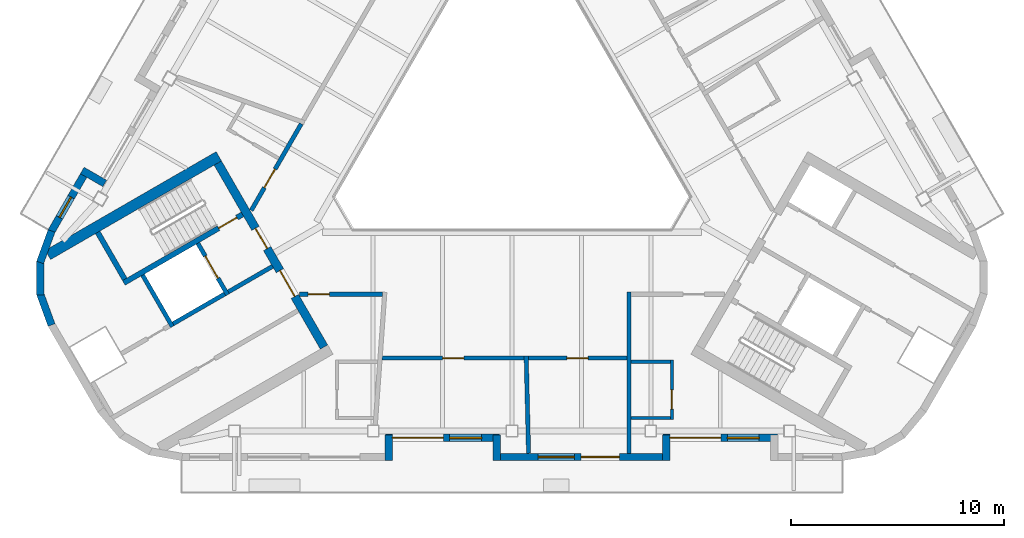
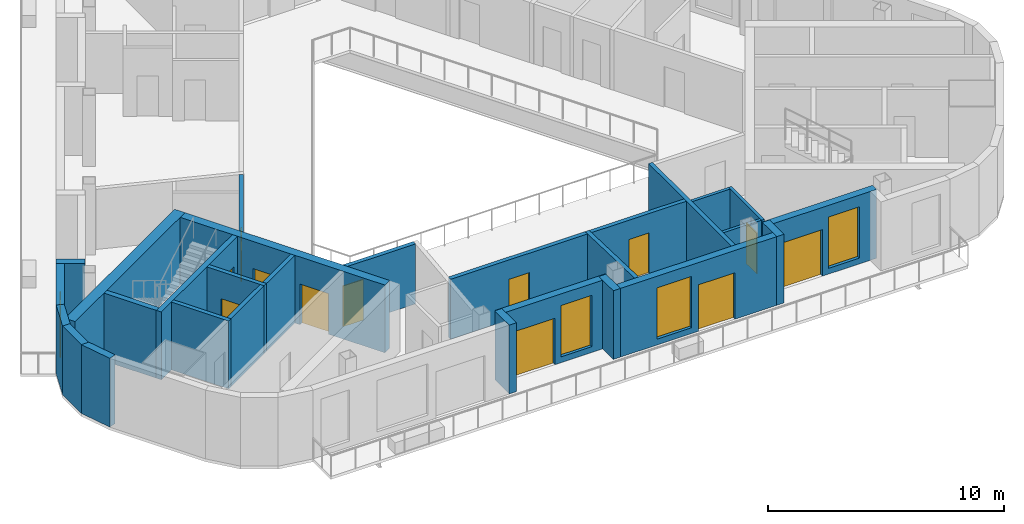
# One storey, part 3 of 11: 28 walls, 12 doors, 4 windows, 16 openings.
"""IFC4 building model written with IfcOpenShell, lengths in metres."""

from ifc_helpers import new_model, si_unit, direction, frame, frame_2d, origin, place, context, subcontext, project, spatial, rectangle, extrude, material, layer, layer_set, type_object, element, fill, save


model = new_model("IFC4")

# Units and contexts
model_context = context("Model", 3, precision=1e-05, world=origin(), true_north=direction((0.0, 1.0)))
body_context = subcontext(model_context, "Body", "Model", "MODEL_VIEW")
ifc_project = project(units=[si_unit("LENGTHUNIT", "METRE"), si_unit("AREAUNIT", "SQUARE_METRE"), si_unit("VOLUMEUNIT", "CUBIC_METRE"), si_unit("PLANEANGLEUNIT", "RADIAN"), si_unit("MASSUNIT", "GRAM", prefix="KILO")], contexts=[model_context])

# Site, building, storey
site_placement = place(None, origin())
site = spatial("IfcSite", under=ifc_project, at=site_placement, CompositionType="ELEMENT")
building_placement = place(site_placement, origin())
building = spatial("IfcBuilding", under=site, at=building_placement, Name="Apuvela Tower Hotel", CompositionType="ELEMENT")
storey_placement = place(building_placement, frame((0.0, 0.0, 317.0)))
storey = spatial("IfcBuildingStorey", under=building, at=storey_placement, Name="L79", CompositionType="ELEMENT", Elevation=317.0)

# Wall, openings, doors
ifc_material_1 = material(Name="Concrete C50/60", Category="concrete")
ifc_layer_1 = layer(ifc_material_1, 0.39990234375)
ifc_layer_set_1 = layer_set([ifc_layer_1], Name="COR-WALL-CORE-400")
wall_type_1 = type_object("IfcWallType", Name="COR-WALL-CORE-400", PredefinedType="SHEAR", material=ifc_layer_set_1)
wall_1_placement = place(storey_placement, frame((-13.844970703125, -2.219970703125, 0.0), z_axis=(0.0, 0.0, 1.0), x_axis=(0.500004234368, -0.866022959057, 0.0)))
wall_1 = element("IfcWall", 1, at=wall_1_placement, inside=storey, type_object=wall_type_1, Name="Core wall SW", PredefinedType="SHEAR", context=body_context, shape_type="SweptSolid", body=[
    extrude(rectangle(XDim=10.0, YDim=0.39990234375, at=frame_2d((5.0, 0.0))), origin(), (0.0, 0.0, 1.0), 3.5),
])
opening_1_placement = place(wall_1_placement, frame((3.550048828125, 0.0, 0.0)))
opening_1 = element("IfcOpeningElement", 2, at=opening_1_placement, cuts=wall_1, Name="Opening W-FD", PredefinedType="OPENING", context=body_context, shape_type="SweptSolid", body=[
    extrude(rectangle(XDim=1.10009765625, YDim=2.10009765625, at=frame_2d((0.550048828125, 1.050048828125))), frame((0.0, 0.2099609375, 0.0), z_axis=(0.0, -1.0, 0.0), x_axis=(1.0, 0.0, 0.0)), (0.0, 0.0, 1.0), 0.419921875),
])
opening_2_placement = place(wall_1_placement, frame((5.85009765625, 0.0, 0.0)))
opening_2 = element("IfcOpeningElement", 3, at=opening_2_placement, cuts=wall_1, Name="Opening W-GD", PredefinedType="OPENING", context=body_context, shape_type="SweptSolid", body=[
    extrude(rectangle(XDim=1.39990234375, YDim=2.10009765625, at=frame_2d((0.699951171875, 1.050048828125))), frame((0.0, 0.2099609375, 0.0), z_axis=(0.0, -1.0, 0.0), x_axis=(1.0, 0.0, 0.0)), (0.0, 0.0, 1.0), 0.419921875),
])
ifc_material_2 = material(Name="Steel fire door, powder coated", Category="steel")
door_type_1 = type_object("IfcDoorType", Name="COR-FD-1100", OperationType="NOTDEFINED", PredefinedType="DOOR", material=ifc_material_2)
door_1_placement = place(opening_1_placement, frame((1.10009765625, 0.0, 0.0), z_axis=(0.0, 0.0, 1.0), x_axis=(-1.0, 0.0, 0.0)))
door_1 = element("IfcDoor", 4, at=door_1_placement, inside=storey, type_object=door_type_1, Name="Firefighting lobby door W-FD", OperationType="SINGLE_SWING_LEFT", OverallHeight=2.10009765625, OverallWidth=1.10009765625, PredefinedType="DOOR", context=body_context, shape_type="SweptSolid", body=[
    extrude(rectangle(XDim=1.10009765625, YDim=2.10009765625, at=frame_2d((0.550048828125, 1.050048828125))), frame((0.0, 0.02490234375, 0.0), z_axis=(0.0, -1.0, 0.0), x_axis=(1.0, 0.0, 0.0)), (0.0, 0.0, 1.0), 0.050048828125),
])
fill(opening_1, door_1)
ifc_material_3 = material(Name="Glazed steel fire door", Category="steel")
door_type_2 = type_object("IfcDoorType", Name="COR-GD-1400", OperationType="DOUBLE_DOOR_SINGLE_SWING", PredefinedType="DOOR", material=ifc_material_3)
door_2_placement = place(opening_2_placement, frame((1.39990234375, 0.0, 0.0), z_axis=(0.0, 0.0, 1.0), x_axis=(-1.0, 0.0, 0.0)))
door_2 = element("IfcDoor", 5, at=door_2_placement, inside=storey, type_object=door_type_2, Name="Lift lobby door W-GD", OperationType="DOUBLE_DOOR_SINGLE_SWING", OverallHeight=2.10009765625, OverallWidth=1.39990234375, PredefinedType="DOOR", context=body_context, shape_type="SweptSolid", body=[
    extrude(rectangle(XDim=1.39990234375, YDim=2.10009765625, at=frame_2d((0.699951171875, 1.050048828125))), frame((0.0, 0.02490234375, 0.0), z_axis=(0.0, -1.0, 0.0), x_axis=(1.0, 0.0, 0.0)), (0.0, 0.0, 1.0), 0.050048828125),
])
fill(opening_2, door_2)

# Walls
ifc_layer_2 = layer(ifc_material_1, 0.5)
ifc_layer_set_2 = layer_set([ifc_layer_2], Name="COR-WALL-CORE-500")
wall_type_2 = type_object("IfcWallType", Name="COR-WALL-CORE-500", PredefinedType="SHEAR", material=ifc_layer_set_2)
wall_2_placement = place(storey_placement, frame((-13.796630859375, -1.9033203125, 0.0), z_axis=(0.0, 0.0, 1.0), x_axis=(-0.866025286072, -0.500000203884, 0.0)))
element("IfcWall", 6, at=wall_2_placement, inside=storey, type_object=wall_type_2, Name="Core wall SW", PredefinedType="SHEAR", context=body_context, shape_type="SweptSolid", body=[
    extrude(rectangle(XDim=9.28271484375, YDim=0.5, at=frame_2d((4.641357421875, 0.0))), origin(), (0.0, 0.0, 1.0), 3.5),
])
ifc_layer_3 = layer(ifc_material_1, 0.199951171875)
ifc_layer_set_3 = layer_set([ifc_layer_3], Name="COR-WALL-SHAFT-200")
wall_type_3 = type_object("IfcWallType", Name="COR-WALL-SHAFT-200", PredefinedType="SHEAR", material=ifc_layer_set_3)
wall_3_placement = place(storey_placement, frame((-17.38134765625, -7.49462890625, 0.0), z_axis=(0.0, 0.0, 1.0), x_axis=(0.500011755427, -0.866018616679, 0.0)))
element("IfcWall", 7, at=wall_3_placement, inside=storey, type_object=wall_type_3, Name="Shaft wall SW", PredefinedType="SHEAR", context=body_context, shape_type="SweptSolid", body=[
    extrude(rectangle(XDim=2.80029296875, YDim=0.199951171875, at=frame_2d((1.400146484375, 0.0))), origin(), (0.0, 0.0, 1.0), 3.5),
])

# Wall, opening, door
wall_4_placement = place(storey_placement, frame((-14.783203125, -5.99462890625, 0.0), z_axis=(0.0, 0.0, 1.0), x_axis=(0.49994636267, -0.866056369097, 0.0)))
wall_4 = element("IfcWall", 8, at=wall_4_placement, inside=storey, type_object=wall_type_3, Name="Shaft wall SW", PredefinedType="SHEAR", context=body_context, shape_type="SweptSolid", body=[
    extrude(rectangle(XDim=2.800048828125, YDim=0.199951171875, at=frame_2d((1.39990234375, 0.0))), origin(), (0.0, 0.0, 1.0), 3.5),
])
opening_3_placement = place(wall_4_placement, frame((0.699951171875, 0.0, 0.0)))
opening_3 = element("IfcOpeningElement", 9, at=opening_3_placement, cuts=wall_4, Name="Opening W-LD-FS2", PredefinedType="OPENING", context=body_context, shape_type="SweptSolid", body=[
    extrude(rectangle(XDim=1.199951171875, YDim=2.10009765625, at=frame_2d((0.60009765625, 1.050048828125))), frame((0.0, 0.10986328125, 0.0), z_axis=(0.0, -1.0, 0.0), x_axis=(1.0, 0.0, 0.0)), (0.0, 0.0, 1.0), 0.219970703125),
])
ifc_material_4 = material(Name="Stainless steel lift landing door", Category="steel")
door_type_3 = type_object("IfcDoorType", Name="COR-LD-1200", OperationType="DOUBLE_DOOR_SLIDING", PredefinedType="DOOR", material=ifc_material_4)
door_3_placement = place(opening_3_placement, origin())
door_3 = element("IfcDoor", 10, at=door_3_placement, inside=storey, type_object=door_type_3, Name="Lift landing door W-LD-FS2", OperationType="DOUBLE_DOOR_SLIDING", OverallHeight=2.10009765625, OverallWidth=1.199951171875, PredefinedType="DOOR", context=body_context, shape_type="SweptSolid", body=[
    extrude(rectangle(XDim=1.199951171875, YDim=2.10009765625, at=frame_2d((0.60009765625, 1.050048828125))), frame((0.0, 0.02490234375, 0.0), z_axis=(0.0, -1.0, 0.0), x_axis=(1.0, 0.0, 0.0)), (0.0, 0.0, 1.0), 0.050048828125),
])
fill(opening_3, door_3)

# Walls
wall_5_placement = place(storey_placement, frame((-13.519775390625, -8.383056640625, 0.0), z_axis=(0.0, 0.0, 1.0), x_axis=(-0.866034573852, -0.49998411664, 0.0)))
element("IfcWall", 11, at=wall_5_placement, inside=storey, type_object=wall_type_3, Name="Shaft wall SW", PredefinedType="SHEAR", context=body_context, shape_type="SweptSolid", body=[
    extrude(rectangle(XDim=2.7998046875, YDim=0.199951171875, at=frame_2d((1.39990234375, 0.0))), origin(), (0.0, 0.0, 1.0), 3.5),
])
wall_6_placement = place(storey_placement, frame((-11.26806640625, -7.0830078125, 0.0), z_axis=(0.0, 0.0, 1.0), x_axis=(-0.866050077142, -0.499957262057, 0.0)))
element("IfcWall", 12, at=wall_6_placement, inside=storey, type_object=wall_type_3, Name="Shaft wall SW", PredefinedType="SHEAR", context=body_context, shape_type="SweptSolid", body=[
    extrude(rectangle(XDim=2.400146484375, YDim=0.199951171875, at=frame_2d((1.2001953125, 0.0))), origin(), (0.0, 0.0, 1.0), 3.5),
])

# Wall, opening, door
ifc_layer_4 = layer(ifc_material_1, 0.25)
ifc_layer_set_4 = layer_set([ifc_layer_4], Name="COR-WALL-STAIR-250")
wall_type_4 = type_object("IfcWallType", Name="COR-WALL-STAIR-250", PredefinedType="SHEAR", material=ifc_layer_set_4)
wall_7_placement = place(storey_placement, frame((-12.6806640625, -4.636474609375, 0.0), z_axis=(0.0, 0.0, 1.0), x_axis=(-0.866021702275, -0.500006411147, 0.0)))
wall_7 = element("IfcWall", 13, at=wall_7_placement, inside=storey, type_object=wall_type_4, Name="Stair wall SW", PredefinedType="SHEAR", context=body_context, shape_type="SweptSolid", body=[
    extrude(rectangle(XDim=6.4501953125, YDim=0.25, at=frame_2d((3.22509765625, 0.0))), origin(), (0.0, 0.0, 1.0), 3.5),
])
opening_4_placement = place(wall_7_placement, frame((0.300048828125, 0.0, 0.0)))
opening_4 = element("IfcOpeningElement", 14, at=opening_4_placement, cuts=wall_7, Name="Opening W-SD", PredefinedType="OPENING", context=body_context, shape_type="SweptSolid", body=[
    extrude(rectangle(XDim=1.0, YDim=2.10009765625, at=frame_2d((0.5, 1.050048828125))), frame((0.0, 0.135009765625, 0.0), z_axis=(0.0, -1.0, 0.0), x_axis=(1.0, 0.0, 0.0)), (0.0, 0.0, 1.0), 0.27001953125),
])
door_type_4 = type_object("IfcDoorType", Name="COR-SD-1000", OperationType="NOTDEFINED", PredefinedType="DOOR", material=ifc_material_2)
door_4_placement = place(opening_4_placement, frame((1.0, 0.0, 0.0), z_axis=(0.0, 0.0, 1.0), x_axis=(-1.0, 0.0, 0.0)))
door_4 = element("IfcDoor", 15, at=door_4_placement, inside=storey, type_object=door_type_4, Name="Stair door W-SD", OperationType="SINGLE_SWING_LEFT", OverallHeight=2.10009765625, OverallWidth=1.0, PredefinedType="DOOR", context=body_context, shape_type="SweptSolid", body=[
    extrude(rectangle(XDim=1.0, YDim=2.10009765625, at=frame_2d((0.5, 1.050048828125))), frame((0.0, 0.02490234375, 0.0), z_axis=(0.0, -1.0, 0.0), x_axis=(1.0, 0.0, 0.0)), (0.0, 0.0, 1.0), 0.050048828125),
])
fill(opening_4, door_4)

# Walls
wall_8_placement = place(storey_placement, frame((-19.49560546875, -5.482421875, 0.0), z_axis=(0.0, 0.0, 1.0), x_axis=(0.499990435942, -0.866030925526, 0.0)))
element("IfcWall", 16, at=wall_8_placement, inside=storey, type_object=wall_type_4, Name="Stair wall SW", PredefinedType="SHEAR", context=body_context, shape_type="SweptSolid", body=[
    extrude(rectangle(XDim=2.5498046875, YDim=0.25, at=frame_2d((1.27490234375, 0.0))), origin(), (0.0, 0.0, 1.0), 3.5),
])
ifc_material_5 = material(Name="Concrete C40/50, dark pigmented precast panel", Category="concrete")
ifc_layer_5 = layer(ifc_material_5, 0.35009765625)
ifc_layer_set_5 = layer_set([ifc_layer_5], Name="ENV-WALL-350")
wall_type_5 = type_object("IfcWallType", Name="ENV-WALL-350", PredefinedType="SOLIDWALL", material=ifc_layer_set_5)
wall_9_placement = place(storey_placement, frame((-19.1650390625, -3.179931640625, 0.0), z_axis=(0.0, 0.0, 1.0), x_axis=(-0.866005645448, 0.500034220881, 0.0)))
element("IfcWall", 17, at=wall_9_placement, inside=storey, type_object=wall_type_5, Name="External wall L79-08", PredefinedType="SOLIDWALL", context=body_context, shape_type="SweptSolid", body=[
    extrude(rectangle(XDim=1.22021484375, YDim=0.35009765625, at=frame_2d((0.610107421875, 0.0))), origin(), (0.0, 0.0, 1.0), 3.550048828125),
])

# Wall, opening, window
wall_10_placement = place(storey_placement, frame((-19.982421875, -2.505859375, 0.0), z_axis=(0.0, 0.0, 1.0), x_axis=(-0.500054617923, -0.865993867816, 0.0)))
wall_10 = element("IfcWall", 18, at=wall_10_placement, inside=storey, type_object=wall_type_5, Name="External wall L79-09", PredefinedType="SOLIDWALL", context=body_context, shape_type="SweptSolid", body=[
    extrude(rectangle(XDim=3.39306640625, YDim=0.35009765625, at=frame_2d((1.696533203125, 0.0))), origin(), (0.0, 0.0, 1.0), 3.550048828125),
])
opening_5_placement = place(wall_10_placement, frame((1.525146484375, 0.0, 0.300048828125)))
opening_5 = element("IfcOpeningElement", 19, at=opening_5_placement, cuts=wall_10, Name="Opening WN11", PredefinedType="OPENING", context=body_context, shape_type="SweptSolid", body=[
    extrude(rectangle(XDim=1.10009765625, YDim=2.64990234375, at=frame_2d((0.550048828125, 1.324951171875))), frame((0.0, 0.18505859375, 0.0), z_axis=(0.0, -1.0, 0.0), x_axis=(1.0, 0.0, 0.0)), (0.0, 0.0, 1.0), 0.3701171875),
])
ifc_material_6 = material(Name="Glass, dark tinted laminated insulated glazing unit", Category="glass")
window_type_1 = type_object("IfcWindowType", Name="ENV-WIN-1100x2650", PartitioningType="SINGLE_PANEL", PredefinedType="WINDOW", material=ifc_material_6)
window_1_placement = place(opening_5_placement, origin())
window_1 = element("IfcWindow", 20, at=window_1_placement, inside=storey, type_object=window_type_1, Name="Window WN11", OverallHeight=2.64990234375, OverallWidth=1.10009765625, PartitioningType="SINGLE_PANEL", PredefinedType="WINDOW", context=body_context, shape_type="SweptSolid", body=[
    extrude(rectangle(XDim=1.10009765625, YDim=2.64990234375, at=frame_2d((0.550048828125, 1.324951171875))), frame((0.0, 0.030029296875, 0.0), z_axis=(0.0, -1.0, 0.0), x_axis=(1.0, 0.0, 0.0)), (0.0, 0.0, 1.0), 0.06005859375),
])
fill(opening_5, window_1)

# Walls
for number, where, z_axis, x_axis, name in (
    (21, (-21.666259765625, -5.41650390625, 0.0), (0.0, 0.0, 1.0), (-0.341991325642, -0.939703109065, 0.0), "External wall L79-10"),
    (22, (-22.19580078125, -6.840576171875, 0.0), (0.0, 0.0, 1.0), (0.0, -1.0, 0.0), "External wall L79-11"),
    (23, (-22.206298828125, -8.35986328125, 0.0), (0.0, 0.0, 1.0), (0.341991325642, -0.939703109065, 0.0), "External wall L79-12"),
):
    element("IfcWall", number, at=place(storey_placement, frame(where, z_axis=z_axis, x_axis=x_axis)), inside=storey, type_object=wall_type_5, Name=name, PredefinedType="SOLIDWALL", context=body_context, shape_type="SweptSolid", body=[
        extrude(rectangle(XDim=1.5791015625, YDim=0.35009765625, at=frame_2d((0.78955078125, 0.0))), origin(), (0.0, 0.0, 1.0), 3.550048828125),
    ])
wall_11_placement = place(storey_placement, frame((-5.8056640625, -16.2275390625, 0.0), z_axis=(0.0, 0.0, 1.0), x_axis=(0.0, 1.0, 0.0)))
element("IfcWall", 24, at=wall_11_placement, inside=storey, type_object=wall_type_5, Name="External wall L79-18", PredefinedType="SOLIDWALL", context=body_context, shape_type="SweptSolid", body=[
    extrude(rectangle(XDim=1.219970703125, YDim=0.35009765625, at=frame_2d((0.60986328125, 0.0))), origin(), (0.0, 0.0, 1.0), 3.550048828125),
])

# Wall, openings, door, window
wall_12_placement = place(storey_placement, frame((-5.95068359375, -15.152587890625, 0.0), z_axis=(0.0, 0.0, 1.0), x_axis=(1.0, 0.0, 0.0)))
wall_12 = element("IfcWall", 25, at=wall_12_placement, inside=storey, type_object=wall_type_5, Name="External wall L79-19", PredefinedType="SOLIDWALL", context=body_context, shape_type="SweptSolid", body=[
    extrude(rectangle(XDim=5.37060546875, YDim=0.35009765625, at=frame_2d((2.685302734375, 0.0))), origin(), (0.0, 0.0, 1.0), 3.550048828125),
])
opening_6_placement = place(wall_12_placement, frame((0.320068359375, 0.0, 0.0)))
opening_6 = element("IfcOpeningElement", 26, at=opening_6_placement, cuts=wall_12, Name="Opening BD24", PredefinedType="OPENING", context=body_context, shape_type="SweptSolid", body=[
    extrude(rectangle(XDim=2.39990234375, YDim=2.39990234375, at=frame_2d((1.199951171875, 1.199951171875))), frame((0.0, 0.18505859375, 0.0), z_axis=(0.0, -1.0, 0.0), x_axis=(1.0, 0.0, 0.0)), (0.0, 0.0, 1.0), 0.3701171875),
])
opening_7_placement = place(wall_12_placement, frame((3.02001953125, 0.0, 0.300048828125)))
opening_7 = element("IfcOpeningElement", 27, at=opening_7_placement, cuts=wall_12, Name="Opening WN15", PredefinedType="OPENING", context=body_context, shape_type="SweptSolid", body=[
    extrude(rectangle(XDim=1.5, YDim=2.64990234375, at=frame_2d((0.75, 1.324951171875))), frame((0.0, 0.18505859375, 0.0), z_axis=(0.0, -1.0, 0.0), x_axis=(1.0, 0.0, 0.0)), (0.0, 0.0, 1.0), 0.3701171875),
])
ifc_material_7 = material(Name="Aluminium 6063-T6, dark bronze anodised frame with dark tinted laminated glass", Category="aluminium")
door_type_5 = type_object("IfcDoorType", Name="ENV-DOOR-BALCONY-2400x2400", OperationType="SLIDING_TO_LEFT", PredefinedType="DOOR", material=ifc_material_7)
door_5_placement = place(opening_6_placement, frame((2.39990234375, 0.0, 0.0), z_axis=(0.0, 0.0, 1.0), x_axis=(-1.0, 0.0, 0.0)))
door_5 = element("IfcDoor", 28, at=door_5_placement, inside=storey, type_object=door_type_5, Name="Balcony door BD24", OperationType="SLIDING_TO_LEFT", OverallHeight=2.39990234375, OverallWidth=2.39990234375, PredefinedType="DOOR", context=body_context, shape_type="SweptSolid", body=[
    extrude(rectangle(XDim=2.39990234375, YDim=2.39990234375, at=frame_2d((1.199951171875, 1.199951171875))), frame((0.0, 0.02490234375, 0.0), z_axis=(0.0, -1.0, 0.0), x_axis=(1.0, 0.0, 0.0)), (0.0, 0.0, 1.0), 0.050048828125),
])
fill(opening_6, door_5)
window_type_2 = type_object("IfcWindowType", Name="ENV-WIN-1500x2650", PartitioningType="SINGLE_PANEL", PredefinedType="WINDOW", material=ifc_material_6)
window_2_placement = place(opening_7_placement, origin())
window_2 = element("IfcWindow", 29, at=window_2_placement, inside=storey, type_object=window_type_2, Name="Window WN15", OverallHeight=2.64990234375, OverallWidth=1.5, PartitioningType="SINGLE_PANEL", PredefinedType="WINDOW", context=body_context, shape_type="SweptSolid", body=[
    extrude(rectangle(XDim=1.5, YDim=2.64990234375, at=frame_2d((0.75, 1.324951171875))), frame((0.0, 0.030029296875, 0.0), z_axis=(0.0, -1.0, 0.0), x_axis=(1.0, 0.0, 0.0)), (0.0, 0.0, 1.0), 0.06005859375),
])
fill(opening_7, window_2)

# Wall
wall_13_placement = place(storey_placement, frame((-0.72509765625, -15.007568359375, 0.0), z_axis=(0.0, 0.0, 1.0), x_axis=(0.0, -1.0, 0.0)))
element("IfcWall", 30, at=wall_13_placement, inside=storey, type_object=wall_type_5, Name="External wall L79-20", PredefinedType="SOLIDWALL", context=body_context, shape_type="SweptSolid", body=[
    extrude(rectangle(XDim=1.219970703125, YDim=0.35009765625, at=frame_2d((0.60986328125, 0.0))), origin(), (0.0, 0.0, 1.0), 3.550048828125),
])

# Wall, openings, door, window
wall_14_placement = place(storey_placement, frame((-0.89990234375, -16.052490234375, 0.0), z_axis=(0.0, 0.0, 1.0), x_axis=(1.0, 0.0, 0.0)))
wall_14 = element("IfcWall", 31, at=wall_14_placement, inside=storey, type_object=wall_type_5, Name="External wall L79-21", PredefinedType="SOLIDWALL", context=body_context, shape_type="SweptSolid", body=[
    extrude(rectangle(XDim=8.33056640625, YDim=0.35009765625, at=frame_2d((4.165283203125, 0.0))), origin(), (0.0, 0.0, 1.0), 3.550048828125),
])
opening_8_placement = place(wall_14_placement, frame((4.150390625, 0.0, 0.0)))
opening_8 = element("IfcOpeningElement", 32, at=opening_8_placement, cuts=wall_14, Name="Opening BD18", PredefinedType="OPENING", context=body_context, shape_type="SweptSolid", body=[
    extrude(rectangle(XDim=1.800048828125, YDim=2.39990234375, at=frame_2d((0.89990234375, 1.199951171875))), frame((0.0, 0.18505859375, 0.0), z_axis=(0.0, -1.0, 0.0), x_axis=(1.0, 0.0, 0.0)), (0.0, 0.0, 1.0), 0.3701171875),
])
opening_9_placement = place(wall_14_placement, frame((2.1298828125, 0.0, 0.300048828125)))
opening_9 = element("IfcOpeningElement", 33, at=opening_9_placement, cuts=wall_14, Name="Opening WN17", PredefinedType="OPENING", context=body_context, shape_type="SweptSolid", body=[
    extrude(rectangle(XDim=1.699951171875, YDim=2.64990234375, at=frame_2d((0.85009765625, 1.324951171875))), frame((0.0, 0.18505859375, 0.0), z_axis=(0.0, -1.0, 0.0), x_axis=(1.0, 0.0, 0.0)), (0.0, 0.0, 1.0), 0.3701171875),
])
door_type_6 = type_object("IfcDoorType", Name="ENV-DOOR-BALCONY-1800x2400", OperationType="SLIDING_TO_LEFT", PredefinedType="DOOR", material=ifc_material_7)
door_6_placement = place(opening_8_placement, frame((1.800048828125, 0.0, 0.0), z_axis=(0.0, 0.0, 1.0), x_axis=(-1.0, 0.0, 0.0)))
door_6 = element("IfcDoor", 34, at=door_6_placement, inside=storey, type_object=door_type_6, Name="Balcony door BD18", OperationType="SLIDING_TO_LEFT", OverallHeight=2.39990234375, OverallWidth=1.800048828125, PredefinedType="DOOR", context=body_context, shape_type="SweptSolid", body=[
    extrude(rectangle(XDim=1.800048828125, YDim=2.39990234375, at=frame_2d((0.89990234375, 1.199951171875))), frame((0.0, 0.02490234375, 0.0), z_axis=(0.0, -1.0, 0.0), x_axis=(1.0, 0.0, 0.0)), (0.0, 0.0, 1.0), 0.050048828125),
])
fill(opening_8, door_6)
window_type_3 = type_object("IfcWindowType", Name="ENV-WIN-1700x2650", PartitioningType="SINGLE_PANEL", PredefinedType="WINDOW", material=ifc_material_6)
window_3_placement = place(opening_9_placement, origin())
window_3 = element("IfcWindow", 35, at=window_3_placement, inside=storey, type_object=window_type_3, Name="Window WN17", OverallHeight=2.64990234375, OverallWidth=1.699951171875, PartitioningType="SINGLE_PANEL", PredefinedType="WINDOW", context=body_context, shape_type="SweptSolid", body=[
    extrude(rectangle(XDim=1.699951171875, YDim=2.64990234375, at=frame_2d((0.85009765625, 1.324951171875))), frame((0.0, 0.030029296875, 0.0), z_axis=(0.0, -1.0, 0.0), x_axis=(1.0, 0.0, 0.0)), (0.0, 0.0, 1.0), 0.06005859375),
])
fill(opening_9, window_3)

# Wall
wall_15_placement = place(storey_placement, frame((7.255615234375, -16.2275390625, 0.0), z_axis=(0.0, 0.0, 1.0), x_axis=(0.0, 1.0, 0.0)))
element("IfcWall", 36, at=wall_15_placement, inside=storey, type_object=wall_type_5, Name="External wall L79-22", PredefinedType="SOLIDWALL", context=body_context, shape_type="SweptSolid", body=[
    extrude(rectangle(XDim=1.219970703125, YDim=0.35009765625, at=frame_2d((0.60986328125, 0.0))), origin(), (0.0, 0.0, 1.0), 3.550048828125),
])

# Wall, openings, door, window
wall_16_placement = place(storey_placement, frame((7.110595703125, -15.152587890625, 0.0), z_axis=(0.0, 0.0, 1.0), x_axis=(1.0, 0.0, 0.0)))
wall_16 = element("IfcWall", 37, at=wall_16_placement, inside=storey, type_object=wall_type_5, Name="External wall L79-23", PredefinedType="SOLIDWALL", context=body_context, shape_type="SweptSolid", body=[
    extrude(rectangle(XDim=5.370849609375, YDim=0.35009765625, at=frame_2d((2.685546875, 0.0))), origin(), (0.0, 0.0, 1.0), 3.550048828125),
])
opening_10_placement = place(wall_16_placement, frame((0.3203125, 0.0, 0.0)))
opening_10 = element("IfcOpeningElement", 38, at=opening_10_placement, cuts=wall_16, Name="Opening BD24", PredefinedType="OPENING", context=body_context, shape_type="SweptSolid", body=[
    extrude(rectangle(XDim=2.39990234375, YDim=2.39990234375, at=frame_2d((1.199951171875, 1.199951171875))), frame((0.0, 0.18505859375, 0.0), z_axis=(0.0, -1.0, 0.0), x_axis=(1.0, 0.0, 0.0)), (0.0, 0.0, 1.0), 0.3701171875),
])
opening_11_placement = place(wall_16_placement, frame((3.0205078125, 0.0, 0.300048828125)))
opening_11 = element("IfcOpeningElement", 39, at=opening_11_placement, cuts=wall_16, Name="Opening WN15", PredefinedType="OPENING", context=body_context, shape_type="SweptSolid", body=[
    extrude(rectangle(XDim=1.5, YDim=2.64990234375, at=frame_2d((0.75, 1.324951171875))), frame((0.0, 0.18505859375, 0.0), z_axis=(0.0, -1.0, 0.0), x_axis=(1.0, 0.0, 0.0)), (0.0, 0.0, 1.0), 0.3701171875),
])
door_7_placement = place(opening_10_placement, frame((2.39990234375, 0.0, 0.0), z_axis=(0.0, 0.0, 1.0), x_axis=(-1.0, 0.0, 0.0)))
door_7 = element("IfcDoor", 40, at=door_7_placement, inside=storey, type_object=door_type_5, Name="Balcony door BD24", OperationType="SLIDING_TO_LEFT", OverallHeight=2.39990234375, OverallWidth=2.39990234375, PredefinedType="DOOR", context=body_context, shape_type="SweptSolid", body=[
    extrude(rectangle(XDim=2.39990234375, YDim=2.39990234375, at=frame_2d((1.199951171875, 1.199951171875))), frame((0.0, 0.02490234375, 0.0), z_axis=(0.0, -1.0, 0.0), x_axis=(1.0, 0.0, 0.0)), (0.0, 0.0, 1.0), 0.050048828125),
])
fill(opening_10, door_7)
window_4_placement = place(opening_11_placement, origin())
window_4 = element("IfcWindow", 41, at=window_4_placement, inside=storey, type_object=window_type_2, Name="Window WN15", OverallHeight=2.64990234375, OverallWidth=1.5, PartitioningType="SINGLE_PANEL", PredefinedType="WINDOW", context=body_context, shape_type="SweptSolid", body=[
    extrude(rectangle(XDim=1.5, YDim=2.64990234375, at=frame_2d((0.75, 1.324951171875))), frame((0.0, 0.030029296875, 0.0), z_axis=(0.0, -1.0, 0.0), x_axis=(1.0, 0.0, 0.0)), (0.0, 0.0, 1.0), 0.06005859375),
])
fill(opening_11, window_4)

# Walls
ifc_material_8 = material(Name="Gypsum board partition on twin steel stud", Category="steel")
ifc_layer_6 = layer(ifc_material_8, 0.199951171875)
ifc_layer_set_6 = layer_set([ifc_layer_6], Name="GST-PW1")
wall_type_6 = type_object("IfcWallType", Name="GST-PW1", PredefinedType="PARTITIONING", material=ifc_layer_set_6)
wall_17_placement = place(storey_placement, frame((0.780029296875, -15.87744140625, 0.0), z_axis=(0.0, 0.0, 1.0), x_axis=(-0.024420684353, 0.999701770617, 0.0)))
element("IfcWall", 42, at=wall_17_placement, inside=storey, type_object=wall_type_6, Name="L79 partition 02", PredefinedType="PARTITIONING", context=body_context, shape_type="SweptSolid", body=[
    extrude(rectangle(XDim=4.578857421875, YDim=0.199951171875, at=frame_2d((2.28955078125, 0.0))), origin(), (0.0, 0.0, 1.0), 3.10009765625),
])
wall_18_placement = place(storey_placement, frame((5.5, -15.87744140625, 0.0), z_axis=(0.0, 0.0, 1.0), x_axis=(0.0, 1.0, 0.0)))
element("IfcWall", 43, at=wall_18_placement, inside=storey, type_object=wall_type_6, Name="L79 partition 03", PredefinedType="PARTITIONING", context=body_context, shape_type="SweptSolid", body=[
    extrude(rectangle(XDim=7.577392578125, YDim=0.199951171875, at=frame_2d((3.78857421875, 0.0))), origin(), (0.0, 0.0, 1.0), 3.10009765625),
])

# Wall, opening, door
ifc_material_9 = material(Name="Gypsum board corridor wall on twin steel stud, acoustic", Category="steel")
ifc_layer_7 = layer(ifc_material_9, 0.199951171875)
ifc_layer_set_7 = layer_set([ifc_layer_7], Name="GST-PW2")
wall_type_7 = type_object("IfcWallType", Name="GST-PW2", PredefinedType="PARTITIONING", material=ifc_layer_set_7)
wall_19_placement = place(storey_placement, frame((-6.093017578125, -8.39990234375, 0.0), z_axis=(0.0, 0.0, 1.0), x_axis=(-1.0, 0.0, 0.0)))
wall_19 = element("IfcWall", 44, at=wall_19_placement, inside=storey, type_object=wall_type_7, Name="L79 partition 09", PredefinedType="PARTITIONING", context=body_context, shape_type="SweptSolid", body=[
    extrude(rectangle(XDim=3.895263671875, YDim=0.199951171875, at=frame_2d((1.94775390625, 0.0))), origin(), (0.0, 0.0, 1.0), 3.10009765625),
])
opening_12_placement = place(wall_19_placement, frame((2.4951171875, 0.0, 0.0)))
opening_12 = element("IfcOpeningElement", 45, at=opening_12_placement, cuts=wall_19, Name="Opening GD33-02", PredefinedType="OPENING", context=body_context, shape_type="SweptSolid", body=[
    extrude(rectangle(XDim=1.0, YDim=2.10009765625, at=frame_2d((0.5, 1.050048828125))), frame((0.0, 0.10986328125, 0.0), z_axis=(0.0, -1.0, 0.0), x_axis=(1.0, 0.0, 0.0)), (0.0, 0.0, 1.0), 0.219970703125),
])
ifc_material_10 = material(Name="Timber door leaf in steel frame", Category="steel")
door_type_7 = type_object("IfcDoorType", Name="GST-D1", OperationType="NOTDEFINED", PredefinedType="DOOR", material=ifc_material_10)
door_8_placement = place(opening_12_placement, origin())
door_8 = element("IfcDoor", 46, at=door_8_placement, inside=storey, type_object=door_type_7, Name="Door L79-02", OperationType="SINGLE_SWING_RIGHT", OverallHeight=2.10009765625, OverallWidth=1.0, PredefinedType="DOOR", context=body_context, shape_type="SweptSolid", body=[
    extrude(rectangle(XDim=1.0, YDim=2.10009765625, at=frame_2d((0.5, 1.050048828125))), frame((0.0, 0.02490234375, 0.0), z_axis=(0.0, -1.0, 0.0), x_axis=(1.0, 0.0, 0.0)), (0.0, 0.0, 1.0), 0.050048828125),
])
fill(opening_12, door_8)

wall_20_placement = place(storey_placement, frame((0.57080078125, -11.39990234375, 0.0), z_axis=(0.0, 0.0, 1.0), x_axis=(-1.0, 0.0, 0.0)))
wall_20 = element("IfcWall", 47, at=wall_20_placement, inside=storey, type_object=wall_type_7, Name="L79 partition 13", PredefinedType="PARTITIONING", context=body_context, shape_type="SweptSolid", body=[
    extrude(rectangle(XDim=6.67919921875, YDim=0.199951171875, at=frame_2d((3.339599609375, 0.0))), origin(), (0.0, 0.0, 1.0), 3.10009765625),
])
opening_13_placement = place(wall_20_placement, frame((2.839599609375, 0.0, 0.0)))
opening_13 = element("IfcOpeningElement", 48, at=opening_13_placement, cuts=wall_20, Name="Opening GD33-03", PredefinedType="OPENING", context=body_context, shape_type="SweptSolid", body=[
    extrude(rectangle(XDim=1.0, YDim=2.10009765625, at=frame_2d((0.5, 1.050048828125))), frame((0.0, 0.10986328125, 0.0), z_axis=(0.0, -1.0, 0.0), x_axis=(1.0, 0.0, 0.0)), (0.0, 0.0, 1.0), 0.219970703125),
])
door_9_placement = place(opening_13_placement, origin())
door_9 = element("IfcDoor", 49, at=door_9_placement, inside=storey, type_object=door_type_7, Name="Door L79-03", OperationType="SINGLE_SWING_LEFT", OverallHeight=2.10009765625, OverallWidth=1.0, PredefinedType="DOOR", context=body_context, shape_type="SweptSolid", body=[
    extrude(rectangle(XDim=1.0, YDim=2.10009765625, at=frame_2d((0.5, 1.050048828125))), frame((0.0, 0.02490234375, 0.0), z_axis=(0.0, -1.0, 0.0), x_axis=(1.0, 0.0, 0.0)), (0.0, 0.0, 1.0), 0.050048828125),
])
fill(opening_13, door_9)

wall_21_placement = place(storey_placement, frame((5.39990234375, -11.39990234375, 0.0), z_axis=(0.0, 0.0, 1.0), x_axis=(-1.0, 0.0, 0.0)))
wall_21 = element("IfcWall", 50, at=wall_21_placement, inside=storey, type_object=wall_type_7, Name="L79 partition 14", PredefinedType="PARTITIONING", context=body_context, shape_type="SweptSolid", body=[
    extrude(rectangle(XDim=4.629150390625, YDim=0.199951171875, at=frame_2d((2.314453125, 0.0))), origin(), (0.0, 0.0, 1.0), 3.10009765625),
])
opening_14_placement = place(wall_21_placement, frame((1.814697265625, 0.0, 0.0)))
opening_14 = element("IfcOpeningElement", 51, at=opening_14_placement, cuts=wall_21, Name="Opening GD33-04", PredefinedType="OPENING", context=body_context, shape_type="SweptSolid", body=[
    extrude(rectangle(XDim=1.0, YDim=2.10009765625, at=frame_2d((0.5, 1.050048828125))), frame((0.0, 0.10986328125, 0.0), z_axis=(0.0, -1.0, 0.0), x_axis=(1.0, 0.0, 0.0)), (0.0, 0.0, 1.0), 0.219970703125),
])
door_10_placement = place(opening_14_placement, origin())
door_10 = element("IfcDoor", 52, at=door_10_placement, inside=storey, type_object=door_type_7, Name="Door L79-04", OperationType="SINGLE_SWING_LEFT", OverallHeight=2.10009765625, OverallWidth=1.0, PredefinedType="DOOR", context=body_context, shape_type="SweptSolid", body=[
    extrude(rectangle(XDim=1.0, YDim=2.10009765625, at=frame_2d((0.5, 1.050048828125))), frame((0.0, 0.02490234375, 0.0), z_axis=(0.0, -1.0, 0.0), x_axis=(1.0, 0.0, 0.0)), (0.0, 0.0, 1.0), 0.050048828125),
])
fill(opening_14, door_10)

wall_22_placement = place(storey_placement, frame((-12.268798828125, -4.449951171875, 0.0), z_axis=(0.0, 0.0, 1.0), x_axis=(0.500006955494, 0.866021387991, 0.0)))
wall_22 = element("IfcWall", 53, at=wall_22_placement, inside=storey, type_object=wall_type_7, Name="L79 partition 39", PredefinedType="PARTITIONING", context=body_context, shape_type="SweptSolid", body=[
    extrude(rectangle(XDim=4.70458984375, YDim=0.199951171875, at=frame_2d((2.352294921875, 0.0))), origin(), (0.0, 0.0, 1.0), 3.10009765625),
])
opening_15_placement = place(wall_22_placement, frame((1.236572265625, 0.0, 0.0)))
opening_15 = element("IfcOpeningElement", 54, at=opening_15_placement, cuts=wall_22, Name="Opening GD33-21", PredefinedType="OPENING", context=body_context, shape_type="SweptSolid", body=[
    extrude(rectangle(XDim=1.0, YDim=2.10009765625, at=frame_2d((0.5, 1.050048828125))), frame((0.0, 0.10986328125, 0.0), z_axis=(0.0, -1.0, 0.0), x_axis=(1.0, 0.0, 0.0)), (0.0, 0.0, 1.0), 0.219970703125),
])
door_11_placement = place(opening_15_placement, origin())
door_11 = element("IfcDoor", 55, at=door_11_placement, inside=storey, type_object=door_type_7, Name="Door L79-21", OperationType="SINGLE_SWING_LEFT", OverallHeight=2.10009765625, OverallWidth=1.0, PredefinedType="DOOR", context=body_context, shape_type="SweptSolid", body=[
    extrude(rectangle(XDim=1.0, YDim=2.10009765625, at=frame_2d((0.5, 1.050048828125))), frame((0.0, 0.02490234375, 0.0), z_axis=(0.0, -1.0, 0.0), x_axis=(1.0, 0.0, 0.0)), (0.0, 0.0, 1.0), 0.050048828125),
])
fill(opening_15, door_11)

ifc_material_11 = material(Name="Moisture-resistant gypsum board wet wall on steel stud", Category="steel")
ifc_layer_8 = layer(ifc_material_11, 0.14990234375)
ifc_layer_set_8 = layer_set([ifc_layer_8], Name="GST-PW3")
wall_type_8 = type_object("IfcWallType", Name="GST-PW3", PredefinedType="PARTITIONING", material=ifc_layer_set_8)
wall_23_placement = place(storey_placement, frame((7.52490234375, -14.300048828125, 0.0), z_axis=(0.0, 0.0, 1.0), x_axis=(0.0, 1.0, 0.0)))
wall_23 = element("IfcWall", 56, at=wall_23_placement, inside=storey, type_object=wall_type_8, Name="L79 partition 16", PredefinedType="PARTITIONING", context=body_context, shape_type="SweptSolid", body=[
    extrude(rectangle(XDim=2.800048828125, YDim=0.14990234375, at=frame_2d((1.39990234375, 0.0))), origin(), (0.0, 0.0, 1.0), 3.10009765625),
])
opening_16_placement = place(wall_23_placement, frame((0.5, 0.0, 0.0)))
opening_16 = element("IfcOpeningElement", 57, at=opening_16_placement, cuts=wall_23, Name="Opening GD33-05", PredefinedType="OPENING", context=body_context, shape_type="SweptSolid", body=[
    extrude(rectangle(XDim=0.89990234375, YDim=2.10009765625, at=frame_2d((0.449951171875, 1.050048828125))), frame((0.0, 0.0849609375, 0.0), z_axis=(0.0, -1.0, 0.0), x_axis=(1.0, 0.0, 0.0)), (0.0, 0.0, 1.0), 0.169921875),
])
door_type_8 = type_object("IfcDoorType", Name="GST-D2", OperationType="NOTDEFINED", PredefinedType="DOOR", material=ifc_material_10)
door_12_placement = place(opening_16_placement, origin())
door_12 = element("IfcDoor", 58, at=door_12_placement, inside=storey, type_object=door_type_8, Name="Door L79-05", OperationType="SINGLE_SWING_LEFT", OverallHeight=2.10009765625, OverallWidth=0.89990234375, PredefinedType="DOOR", context=body_context, shape_type="SweptSolid", body=[
    extrude(rectangle(XDim=0.89990234375, YDim=2.10009765625, at=frame_2d((0.449951171875, 1.050048828125))), frame((0.0, 0.02490234375, 0.0), z_axis=(0.0, -1.0, 0.0), x_axis=(1.0, 0.0, 0.0)), (0.0, 0.0, 1.0), 0.050048828125),
])
fill(opening_16, door_12)

# Walls
for number, where, z_axis, x_axis, name in (
    (59, (5.60009765625, -14.22509765625, 0.0), (0.0, 0.0, 1.0), (1.0, 0.0, 0.0), "L79 partition 17"),
    (60, (5.60009765625, -11.574951171875, 0.0), (0.0, 0.0, 1.0), (1.0, 0.0, 0.0), "L79 partition 18"),
):
    element("IfcWall", number, at=place(storey_placement, frame(where, z_axis=z_axis, x_axis=x_axis)), inside=storey, type_object=wall_type_8, Name=name, PredefinedType="PARTITIONING", context=body_context, shape_type="SweptSolid", body=[
        extrude(rectangle(XDim=1.849853515625, YDim=0.14990234375, at=frame_2d((0.9248046875, 0.0))), origin(), (0.0, 0.0, 1.0), 3.10009765625),
    ])

save(model, "model.ifc")
